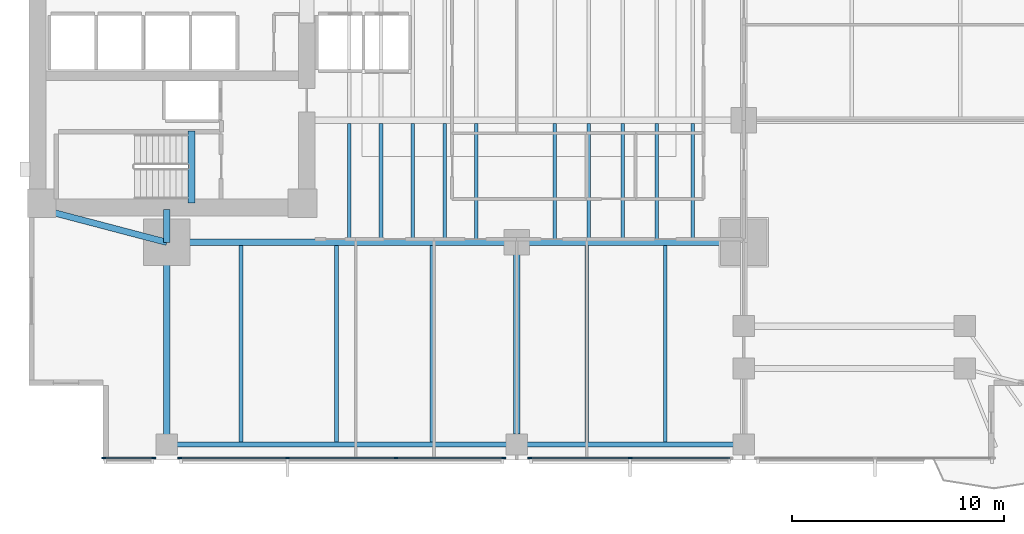
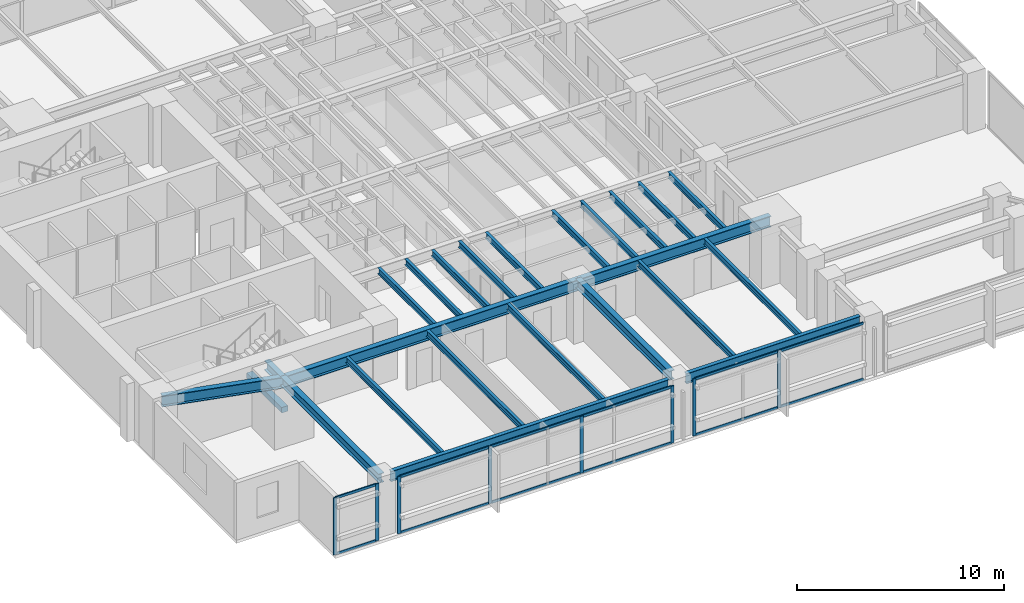
# One storey, part 2 of 15: 24 beams, 20 members, 3 elements without a shape of their own.
"""IFC4 building model written with IfcOpenShell, lengths in metres."""

from ifc_helpers import new_model, si_unit, direction, frame, origin, origin_2d, place, context, subcontext, project, spatial, rectangle, i_section, extrude, material, layer, layer_set, material_profile, profile_set, type_object, element, aggregate, save


model = new_model("IFC4")

# Units and contexts
model_context = context("Model", 3, precision=1e-05, world=origin(), true_north=direction((0.0, 1.0)))
body_context = subcontext(model_context, "Body", "Model", "MODEL_VIEW")
ifc_project = project(units=[si_unit("LENGTHUNIT", "METRE"), si_unit("AREAUNIT", "SQUARE_METRE"), si_unit("VOLUMEUNIT", "CUBIC_METRE"), si_unit("PLANEANGLEUNIT", "RADIAN"), si_unit("MASSUNIT", "GRAM", prefix="KILO")], contexts=[model_context])

# Site, building, storey
site_placement = place(None, origin())
site = spatial("IfcSite", under=ifc_project, at=site_placement, CompositionType="ELEMENT")
building_placement = place(site_placement, origin())
building = spatial("IfcBuilding", under=site, at=building_placement, Name="Kinhvarn Gate Tower", CompositionType="ELEMENT")
storey_placement = place(building_placement, frame((0.0, 0.0, 78.85009765625)))
storey = spatial("IfcBuildingStorey", under=building, at=storey_placement, Name="L20", CompositionType="ELEMENT", Elevation=78.85009765625)

# Beam
ifc_material_1 = material(Name="Concrete C50/60", Category="concrete")
ifc_material_profile_1 = material_profile(ifc_material_1, rectangle(XDim=0.340087890625, YDim=0.320068359375, at=origin_2d()), Name="RC 340x320")
ifc_profile_set_1 = profile_set([ifc_material_profile_1], Name="Concrete C50/60")
beam_type_1 = type_object("IfcBeamType", Name="BM-LND-500", PredefinedType="BEAM", material=ifc_profile_set_1)
beam_1_placement = place(storey_placement, frame((12.1650390625, 14.60009765625, -0.16015625), z_axis=(0.0, 1.0, 0.0), x_axis=(-1.0, 0.0, 0.0)))
element("IfcBeam", 1, at=beam_1_placement, inside=storey, type_object=beam_type_1, Name="Stair ST1 Landing Nosing Beam (L20)", PredefinedType="BEAM", context=body_context, shape_type="SweptSolid", body=[
    extrude(rectangle(XDim=0.340087890625, YDim=0.320068359375, at=origin_2d()), origin(), (0.0, 0.0, 1.0), 3.39990234375),
])

# Curtain wall, members
ifc_material_2 = material(Name="Anodised aluminium AW-6063", Category="aluminium")
ifc_layer = layer(ifc_material_2, 0.179931640625)
ifc_layer_set = layer_set([ifc_layer], Name="Anodised aluminium AW-6063")
curtain_wall_type = type_object("IfcCurtainWallType", Name="CW-SYS-2", PredefinedType="NOTDEFINED", material=ifc_layer_set)
curtain_wall_1_placement = place(storey_placement, origin())
curtain_wall_1 = element("IfcCurtainWall", 2, at=curtain_wall_1_placement, inside=storey, type_object=curtain_wall_type, Name="Curtain Wall CW2 (L20)", PredefinedType="NOTDEFINED")
ifc_material_profile_2 = material_profile(ifc_material_2, rectangle(XDim=0.070068359375, YDim=0.179931640625, at=origin_2d()), Name="ALU 70x180")
ifc_profile_set_2 = profile_set([ifc_material_profile_2], Name="Anodised aluminium AW-6063")
member_type_1 = type_object("IfcMemberType", Name="CW-MUL-180", PredefinedType="MULLION", material=ifc_profile_set_2)
member_1_placement = place(storey_placement, frame((8.034912109375, 2.590087890625, 0.0), z_axis=(0.0, 0.0, 1.0), x_axis=(0.0, 1.0, 0.0)))
member_1 = element("IfcMember", 3, at=member_1_placement, type_object=member_type_1, Name="CW2 mullion 1", PredefinedType="MULLION", context=body_context, shape_type="SweptSolid", body=[
    extrude(rectangle(XDim=0.070068359375, YDim=0.179931640625, at=origin_2d()), origin(), (0.0, 0.0, 1.0), 3.369873046875),
])
member_2_placement = place(storey_placement, frame((10.385009765625, 2.590087890625, 0.0), z_axis=(0.0, 0.0, 1.0), x_axis=(0.0, 1.0, 0.0)))
member_2 = element("IfcMember", 4, at=member_2_placement, type_object=member_type_1, Name="CW2 mullion 2", PredefinedType="MULLION", context=body_context, shape_type="SweptSolid", body=[
    extrude(rectangle(XDim=0.070068359375, YDim=0.179931640625, at=origin_2d()), origin(), (0.0, 0.0, 1.0), 3.369873046875),
])

curtain_wall_2_placement = place(storey_placement, origin())
curtain_wall_2 = element("IfcCurtainWall", 5, at=curtain_wall_2_placement, inside=storey, type_object=curtain_wall_type, Name="Curtain Wall CW2 (L20)", PredefinedType="NOTDEFINED")
member_3_placement = place(storey_placement, frame((11.614990234375, 2.590087890625, 0.0), z_axis=(0.0, 0.0, 1.0), x_axis=(0.0, 1.0, 0.0)))
member_3 = element("IfcMember", 6, at=member_3_placement, type_object=member_type_1, Name="CW2 mullion 1", PredefinedType="MULLION", context=body_context, shape_type="SweptSolid", body=[
    extrude(rectangle(XDim=0.070068359375, YDim=0.179931640625, at=origin_2d()), origin(), (0.0, 0.0, 1.0), 3.369873046875),
])
member_4_placement = place(storey_placement, frame((16.693359375, 2.590087890625, 0.0), z_axis=(0.0, 0.0, 1.0), x_axis=(0.0, 1.0, 0.0)))
member_4 = element("IfcMember", 7, at=member_4_placement, type_object=member_type_1, Name="CW2 mullion 2", PredefinedType="MULLION", context=body_context, shape_type="SweptSolid", body=[
    extrude(rectangle(XDim=0.070068359375, YDim=0.179931640625, at=origin_2d()), origin(), (0.0, 0.0, 1.0), 3.369873046875),
])
member_5_placement = place(storey_placement, frame((21.806640625, 2.590087890625, 0.0), z_axis=(0.0, 0.0, 1.0), x_axis=(0.0, 1.0, 0.0)))
member_5 = element("IfcMember", 8, at=member_5_placement, type_object=member_type_1, Name="CW2 mullion 3", PredefinedType="MULLION", context=body_context, shape_type="SweptSolid", body=[
    extrude(rectangle(XDim=0.070068359375, YDim=0.179931640625, at=origin_2d()), origin(), (0.0, 0.0, 1.0), 3.369873046875),
])
member_6_placement = place(storey_placement, frame((26.885009765625, 2.590087890625, 0.0), z_axis=(0.0, 0.0, 1.0), x_axis=(0.0, 1.0, 0.0)))
member_6 = element("IfcMember", 9, at=member_6_placement, type_object=member_type_1, Name="CW2 mullion 4", PredefinedType="MULLION", context=body_context, shape_type="SweptSolid", body=[
    extrude(rectangle(XDim=0.070068359375, YDim=0.179931640625, at=origin_2d()), origin(), (0.0, 0.0, 1.0), 3.369873046875),
])

curtain_wall_3_placement = place(storey_placement, origin())
curtain_wall_3 = element("IfcCurtainWall", 10, at=curtain_wall_3_placement, inside=storey, type_object=curtain_wall_type, Name="Curtain Wall CW2 (L20)", PredefinedType="NOTDEFINED")
member_7_placement = place(storey_placement, frame((28.114990234375, 2.590087890625, 0.0), z_axis=(0.0, 0.0, 1.0), x_axis=(0.0, 1.0, 0.0)))
member_7 = element("IfcMember", 11, at=member_7_placement, type_object=member_type_1, Name="CW2 mullion 1", PredefinedType="MULLION", context=body_context, shape_type="SweptSolid", body=[
    extrude(rectangle(XDim=0.070068359375, YDim=0.179931640625, at=origin_2d()), origin(), (0.0, 0.0, 1.0), 3.369873046875),
])
member_8_placement = place(storey_placement, frame((32.85009765625, 2.590087890625, 0.0), z_axis=(0.0, 0.0, 1.0), x_axis=(0.0, 1.0, 0.0)))
member_8 = element("IfcMember", 12, at=member_8_placement, type_object=member_type_1, Name="CW2 mullion 2", PredefinedType="MULLION", context=body_context, shape_type="SweptSolid", body=[
    extrude(rectangle(XDim=0.070068359375, YDim=0.179931640625, at=origin_2d()), origin(), (0.0, 0.0, 1.0), 3.369873046875),
])

# Member
ifc_material_profile_3 = material_profile(ifc_material_2, rectangle(XDim=0.070068359375, YDim=0.139892578125, at=origin_2d()), Name="ALU 70x140")
ifc_profile_set_3 = profile_set([ifc_material_profile_3], Name="Anodised aluminium AW-6063")
member_type_2 = type_object("IfcMemberType", Name="CW-TRN-140", PredefinedType="USERDEFINED", material=ifc_profile_set_3)
member_9_placement = place(storey_placement, frame((8.070068359375, 2.590087890625, 0.034912109375), z_axis=(1.0, 0.0, 0.0), x_axis=(0.0, 1.0, 0.0)))
member_9 = element("IfcMember", 13, at=member_9_placement, type_object=member_type_2, Name="CW2 transom 1.1", ObjectType="TRANSOM", PredefinedType="USERDEFINED", context=body_context, shape_type="SweptSolid", body=[
    extrude(rectangle(XDim=0.070068359375, YDim=0.139892578125, at=origin_2d()), origin(), (0.0, 0.0, 1.0), 2.280029296875),
])

member_10_placement = place(storey_placement, frame((8.070068359375, 2.590087890625, 3.3349609375), z_axis=(1.0, 0.0, 0.0), x_axis=(0.0, 1.0, 0.0)))
member_10 = element("IfcMember", 14, at=member_10_placement, type_object=member_type_2, Name="CW2 transom 1.2", ObjectType="TRANSOM", PredefinedType="USERDEFINED", context=body_context, shape_type="SweptSolid", body=[
    extrude(rectangle(XDim=0.070068359375, YDim=0.139892578125, at=origin_2d()), origin(), (0.0, 0.0, 1.0), 2.280029296875),
])

aggregate(curtain_wall_1, [member_1, member_2, member_9, member_10])

member_11_placement = place(storey_placement, frame((11.64990234375, 2.590087890625, 0.034912109375), z_axis=(1.0, 0.0, 0.0), x_axis=(0.0, 1.0, 0.0)))
member_11 = element("IfcMember", 15, at=member_11_placement, type_object=member_type_2, Name="CW2 transom 1.1", ObjectType="TRANSOM", PredefinedType="USERDEFINED", context=body_context, shape_type="SweptSolid", body=[
    extrude(rectangle(XDim=0.070068359375, YDim=0.139892578125, at=origin_2d()), origin(), (0.0, 0.0, 1.0), 5.008544921875),
])

member_12_placement = place(storey_placement, frame((11.64990234375, 2.590087890625, 3.3349609375), z_axis=(1.0, 0.0, 0.0), x_axis=(0.0, 1.0, 0.0)))
member_12 = element("IfcMember", 16, at=member_12_placement, type_object=member_type_2, Name="CW2 transom 1.2", ObjectType="TRANSOM", PredefinedType="USERDEFINED", context=body_context, shape_type="SweptSolid", body=[
    extrude(rectangle(XDim=0.070068359375, YDim=0.139892578125, at=origin_2d()), origin(), (0.0, 0.0, 1.0), 5.008544921875),
])

member_13_placement = place(storey_placement, frame((16.728271484375, 2.590087890625, 0.034912109375), z_axis=(1.0, 0.0, 0.0), x_axis=(0.0, 1.0, 0.0)))
member_13 = element("IfcMember", 17, at=member_13_placement, type_object=member_type_2, Name="CW2 transom 2.1", ObjectType="TRANSOM", PredefinedType="USERDEFINED", context=body_context, shape_type="SweptSolid", body=[
    extrude(rectangle(XDim=0.070068359375, YDim=0.139892578125, at=origin_2d()), origin(), (0.0, 0.0, 1.0), 5.04345703125),
])

member_14_placement = place(storey_placement, frame((16.728271484375, 2.590087890625, 3.3349609375), z_axis=(1.0, 0.0, 0.0), x_axis=(0.0, 1.0, 0.0)))
member_14 = element("IfcMember", 18, at=member_14_placement, type_object=member_type_2, Name="CW2 transom 2.2", ObjectType="TRANSOM", PredefinedType="USERDEFINED", context=body_context, shape_type="SweptSolid", body=[
    extrude(rectangle(XDim=0.070068359375, YDim=0.139892578125, at=origin_2d()), origin(), (0.0, 0.0, 1.0), 5.04345703125),
])

member_15_placement = place(storey_placement, frame((21.841552734375, 2.590087890625, 0.034912109375), z_axis=(1.0, 0.0, 0.0), x_axis=(0.0, 1.0, 0.0)))
member_15 = element("IfcMember", 19, at=member_15_placement, type_object=member_type_2, Name="CW2 transom 3.1", ObjectType="TRANSOM", PredefinedType="USERDEFINED", context=body_context, shape_type="SweptSolid", body=[
    extrude(rectangle(XDim=0.070068359375, YDim=0.139892578125, at=origin_2d()), origin(), (0.0, 0.0, 1.0), 5.008544921875),
])

member_16_placement = place(storey_placement, frame((21.841552734375, 2.590087890625, 3.3349609375), z_axis=(1.0, 0.0, 0.0), x_axis=(0.0, 1.0, 0.0)))
member_16 = element("IfcMember", 20, at=member_16_placement, type_object=member_type_2, Name="CW2 transom 3.2", ObjectType="TRANSOM", PredefinedType="USERDEFINED", context=body_context, shape_type="SweptSolid", body=[
    extrude(rectangle(XDim=0.070068359375, YDim=0.139892578125, at=origin_2d()), origin(), (0.0, 0.0, 1.0), 5.008544921875),
])

aggregate(curtain_wall_2, [member_3, member_4, member_5, member_6, member_11, member_12, member_13, member_14, member_15, member_16])

member_17_placement = place(storey_placement, frame((28.14990234375, 2.590087890625, 0.034912109375), z_axis=(1.0, 0.0, 0.0), x_axis=(0.0, 1.0, 0.0)))
member_17 = element("IfcMember", 21, at=member_17_placement, type_object=member_type_2, Name="CW2 transom 1.1", ObjectType="TRANSOM", PredefinedType="USERDEFINED", context=body_context, shape_type="SweptSolid", body=[
    extrude(rectangle(XDim=0.070068359375, YDim=0.139892578125, at=origin_2d()), origin(), (0.0, 0.0, 1.0), 4.6650390625),
])

member_18_placement = place(storey_placement, frame((28.14990234375, 2.590087890625, 3.3349609375), z_axis=(1.0, 0.0, 0.0), x_axis=(0.0, 1.0, 0.0)))
member_18 = element("IfcMember", 22, at=member_18_placement, type_object=member_type_2, Name="CW2 transom 1.2", ObjectType="TRANSOM", PredefinedType="USERDEFINED", context=body_context, shape_type="SweptSolid", body=[
    extrude(rectangle(XDim=0.070068359375, YDim=0.139892578125, at=origin_2d()), origin(), (0.0, 0.0, 1.0), 4.6650390625),
])

member_19_placement = place(storey_placement, frame((32.885009765625, 2.590087890625, 0.034912109375), z_axis=(1.0, 0.0, 0.0), x_axis=(0.0, 1.0, 0.0)))
member_19 = element("IfcMember", 23, at=member_19_placement, type_object=member_type_2, Name="CW2 transom 2.1", ObjectType="TRANSOM", PredefinedType="USERDEFINED", context=body_context, shape_type="SweptSolid", body=[
    extrude(rectangle(XDim=0.070068359375, YDim=0.139892578125, at=origin_2d()), origin(), (0.0, 0.0, 1.0), 4.6650390625),
])

member_20_placement = place(storey_placement, frame((32.885009765625, 2.590087890625, 3.3349609375), z_axis=(1.0, 0.0, 0.0), x_axis=(0.0, 1.0, 0.0)))
member_20 = element("IfcMember", 24, at=member_20_placement, type_object=member_type_2, Name="CW2 transom 2.2", ObjectType="TRANSOM", PredefinedType="USERDEFINED", context=body_context, shape_type="SweptSolid", body=[
    extrude(rectangle(XDim=0.070068359375, YDim=0.139892578125, at=origin_2d()), origin(), (0.0, 0.0, 1.0), 4.6650390625),
])

aggregate(curtain_wall_3, [member_7, member_8, member_17, member_18, member_19, member_20])

# Beams
ifc_material_3 = material(Name="Steel S355", Category="steel")
ifc_material_profile_4 = material_profile(ifc_material_3, i_section(OverallWidth=0.300048828125, OverallDepth=0.550048828125, WebThickness=0.014892578125, FlangeThickness=0.029052734375, at=origin_2d()), Name="HEB 550")
ifc_profile_set_4 = profile_set([ifc_material_profile_4], Name="Steel S355")
beam_type_2 = type_object("IfcBeamType", Name="STL-HEB550", PredefinedType="BEAM", material=ifc_profile_set_4)
beam_2_placement = place(storey_placement, frame((11.0, 3.219970703125, 3.094970703125), z_axis=(0.0, 1.0, 0.0), x_axis=(-1.0, 0.0, 0.0)))
element("IfcBeam", 25, at=beam_2_placement, inside=storey, type_object=beam_type_2, Name="Floor Beam PG-15 (L20 MCW-S)", PredefinedType="BEAM", context=body_context, shape_type="SweptSolid", body=[
    extrude(i_section(OverallWidth=0.300048828125, OverallDepth=0.550048828125, WebThickness=0.014892578125, FlangeThickness=0.029052734375, at=origin_2d()), origin(), (0.0, 0.0, 1.0), 9.530029296875),
])
beam_3_placement = place(storey_placement, frame((11.0, 12.75, 3.094970703125), z_axis=(0.0, 1.0, 0.0), x_axis=(-1.0, 0.0, 0.0)))
element("IfcBeam", 26, at=beam_3_placement, inside=storey, type_object=beam_type_2, Name="Floor Beam PG-15 (L20 MCW-CS)", PredefinedType="BEAM", context=body_context, shape_type="SweptSolid", body=[
    extrude(i_section(OverallWidth=0.300048828125, OverallDepth=0.550048828125, WebThickness=0.014892578125, FlangeThickness=0.029052734375, at=origin_2d()), origin(), (0.0, 0.0, 1.0), 1.550048828125),
])
beam_4_placement = place(storey_placement, frame((27.5, 3.705078125, 3.094970703125), z_axis=(0.0, 1.0, 0.0), x_axis=(-1.0, 0.0, 0.0)))
element("IfcBeam", 27, at=beam_4_placement, inside=storey, type_object=beam_type_2, Name="Floor Beam PG-15 (L20 SP27-S-TIE)", PredefinedType="BEAM", context=body_context, shape_type="SweptSolid", body=[
    extrude(i_section(OverallWidth=0.300048828125, OverallDepth=0.550048828125, WebThickness=0.014892578125, FlangeThickness=0.029052734375, at=origin_2d()), origin(), (0.0, 0.0, 1.0), 9.044921875),
])
ifc_material_profile_5 = material_profile(ifc_material_3, i_section(OverallWidth=0.300048828125, OverallDepth=0.64990234375, WebThickness=0.01611328125, FlangeThickness=0.031005859375, at=origin_2d()), Name="HEB 650")
ifc_profile_set_5 = profile_set([ifc_material_profile_5], Name="Steel S355")
beam_type_3 = type_object("IfcBeamType", Name="STL-HEB650", PredefinedType="BEAM", material=ifc_profile_set_5)
beam_5_placement = place(storey_placement, frame((11.0, 12.75, 3.044921875), z_axis=(1.0, 0.0, 0.0), x_axis=(0.0, 1.0, 0.0)))
element("IfcBeam", 28, at=beam_5_placement, inside=storey, type_object=beam_type_3, Name="Floor Beam PG-17 (L20 MG-S1)", PredefinedType="BEAM", context=body_context, shape_type="SweptSolid", body=[
    extrude(i_section(OverallWidth=0.300048828125, OverallDepth=0.64990234375, WebThickness=0.01611328125, FlangeThickness=0.031005859375, at=origin_2d()), origin(), (0.0, 0.0, 1.0), 16.5),
])
beam_6_placement = place(storey_placement, frame((27.5, 12.75, 3.044921875), z_axis=(1.0, 0.0, 0.0), x_axis=(0.0, 1.0, 0.0)))
element("IfcBeam", 29, at=beam_6_placement, inside=storey, type_object=beam_type_3, Name="Floor Beam PG-17 (L20 MG-S2)", PredefinedType="BEAM", context=body_context, shape_type="SweptSolid", body=[
    extrude(i_section(OverallWidth=0.300048828125, OverallDepth=0.64990234375, WebThickness=0.01611328125, FlangeThickness=0.031005859375, at=origin_2d()), origin(), (0.0, 0.0, 1.0), 10.699951171875),
])
beam_7_placement = place(storey_placement, frame((5.10009765625, 14.300048828125, 3.044921875), z_axis=(0.967177623957, -0.254101246979, 0.0), x_axis=(0.254101246979, 0.967177623957, 0.0)))
element("IfcBeam", 30, at=beam_7_placement, inside=storey, type_object=beam_type_3, Name="Floor Beam PG-17 (L20 MG-SW-DIAG)", PredefinedType="BEAM", context=body_context, shape_type="SweptSolid", body=[
    extrude(i_section(OverallWidth=0.300048828125, OverallDepth=0.64990234375, WebThickness=0.01611328125, FlangeThickness=0.031005859375, at=origin_2d()), origin(), (0.0, 0.0, 1.0), 6.10009765625),
])
ifc_material_profile_6 = material_profile(ifc_material_3, i_section(OverallWidth=0.169921875, OverallDepth=0.360107421875, WebThickness=0.008056640625, FlangeThickness=0.0126953125, at=origin_2d()), Name="IPE 360")
ifc_profile_set_6 = profile_set([ifc_material_profile_6], Name="Steel S355")
beam_type_4 = type_object("IfcBeamType", Name="STL-IPE360", PredefinedType="JOIST", material=ifc_profile_set_6)
for number, where, z_axis, x_axis, name in (
    (31, (19.60009765625, 12.89990234375, 3.18994140625), (0.0, 1.0, 0.0), (-1.0, 0.0, 0.0), "Floor Joist SB-04 (L20 JC-X196-0)"),
    (32, (21.10009765625, 12.89990234375, 3.18994140625), (0.0, 1.0, 0.0), (-1.0, 0.0, 0.0), "Floor Joist SB-04 (L20 JC-X211-0)"),
    (33, (22.60009765625, 12.89990234375, 3.18994140625), (0.0, 1.0, 0.0), (-1.0, 0.0, 0.0), "Floor Joist SB-04 (L20 JC-X226-0)"),
    (34, (24.10009765625, 12.89990234375, 3.18994140625), (0.0, 1.0, 0.0), (-1.0, 0.0, 0.0), "Floor Joist SB-04 (L20 JC-X241-0)"),
    (35, (25.60009765625, 12.89990234375, 3.18994140625), (0.0, 1.0, 0.0), (-1.0, 0.0, 0.0), "Floor Joist SB-04 (L20 JC-X256-0)"),
    (36, (29.300048828125, 12.89990234375, 3.18994140625), (0.0, 1.0, 0.0), (-1.0, 0.0, 0.0), "Floor Joist SB-04 (L20 JC-X293-0)"),
    (37, (30.89990234375, 12.89990234375, 3.18994140625), (0.0, 1.0, 0.0), (-1.0, 0.0, 0.0), "Floor Joist SB-04 (L20 JC-X309-0)"),
    (38, (32.5, 12.89990234375, 3.18994140625), (0.0, 1.0, 0.0), (-1.0, 0.0, 0.0), "Floor Joist SB-04 (L20 JC-X325-0)"),
    (39, (34.10009765625, 12.89990234375, 3.18994140625), (0.0, 1.0, 0.0), (-1.0, 0.0, 0.0), "Floor Joist SB-04 (L20 JC-X341-0)"),
    (40, (35.800048828125, 12.89990234375, 3.18994140625), (0.0, 1.0, 0.0), (-1.0, 0.0, 0.0), "Floor Joist SB-04 (L20 JC-X358-0)"),
):
    element("IfcBeam", number, at=place(storey_placement, frame(where, z_axis=z_axis, x_axis=x_axis)), inside=storey, type_object=beam_type_4, Name=name, PredefinedType="JOIST", context=body_context, shape_type="SweptSolid", body=[
        extrude(i_section(OverallWidth=0.169921875, OverallDepth=0.360107421875, WebThickness=0.008056640625, FlangeThickness=0.0126953125, at=origin_2d()), origin(), (0.0, 0.0, 1.0), 5.4501953125),
    ])
for number, where, z_axis, x_axis, name in (
    (41, (14.5, 3.330078125, 3.18994140625), (0.0, 1.0, 0.0), (-1.0, 0.0, 0.0), "Floor Joist SB-04 (L20 JS-X145)"),
    (42, (19.0, 3.330078125, 3.18994140625), (0.0, 1.0, 0.0), (-1.0, 0.0, 0.0), "Floor Joist SB-04 (L20 JS-X190)"),
    (43, (23.5, 3.330078125, 3.18994140625), (0.0, 1.0, 0.0), (-1.0, 0.0, 0.0), "Floor Joist SB-04 (L20 JS-X235)"),
    (44, (30.800048828125, 3.330078125, 3.18994140625), (0.0, 1.0, 0.0), (-1.0, 0.0, 0.0), "Floor Joist SB-04 (L20 JS-X308)"),
    (45, (34.5, 3.330078125, 3.18994140625), (0.0, 1.0, 0.0), (-1.0, 0.0, 0.0), "Floor Joist SB-04 (L20 JS-X345)"),
):
    element("IfcBeam", number, at=place(storey_placement, frame(where, z_axis=z_axis, x_axis=x_axis)), inside=storey, type_object=beam_type_4, Name=name, PredefinedType="JOIST", context=body_context, shape_type="SweptSolid", body=[
        extrude(i_section(OverallWidth=0.169921875, OverallDepth=0.360107421875, WebThickness=0.008056640625, FlangeThickness=0.0126953125, at=origin_2d()), origin(), (0.0, 0.0, 1.0), 9.27001953125),
    ])
ifc_material_profile_7 = material_profile(ifc_material_3, i_section(OverallWidth=0.219970703125, OverallDepth=0.60009765625, WebThickness=0.011962890625, FlangeThickness=0.01904296875, at=origin_2d()), Name="IPE 600")
ifc_profile_set_7 = profile_set([ifc_material_profile_7], Name="Steel S355")
beam_type_5 = type_object("IfcBeamType", Name="STL-IPE600", PredefinedType="SPANDREL", material=ifc_profile_set_7)
beam_8_placement = place(storey_placement, frame((11.485107421875, 3.219970703125, 3.06982421875), z_axis=(1.0, 0.0, 0.0), x_axis=(0.0, 1.0, 0.0)))
element("IfcBeam", 46, at=beam_8_placement, inside=storey, type_object=beam_type_5, Name="Floor Spandrel SB-09 (L20 SP-S1)", PredefinedType="SPANDREL", context=body_context, shape_type="SweptSolid", body=[
    extrude(i_section(OverallWidth=0.219970703125, OverallDepth=0.60009765625, WebThickness=0.011962890625, FlangeThickness=0.01904296875, at=origin_2d()), origin(), (0.0, 0.0, 1.0), 15.52978515625),
])
beam_9_placement = place(storey_placement, frame((27.985107421875, 3.219970703125, 3.06982421875), z_axis=(1.0, 0.0, 0.0), x_axis=(0.0, 1.0, 0.0)))
element("IfcBeam", 47, at=beam_9_placement, inside=storey, type_object=beam_type_5, Name="Floor Spandrel SB-09 (L20 SP-S2)", PredefinedType="SPANDREL", context=body_context, shape_type="SweptSolid", body=[
    extrude(i_section(OverallWidth=0.219970703125, OverallDepth=0.60009765625, WebThickness=0.011962890625, FlangeThickness=0.01904296875, at=origin_2d()), origin(), (0.0, 0.0, 1.0), 9.72998046875),
])

save(model, "model.ifc")
